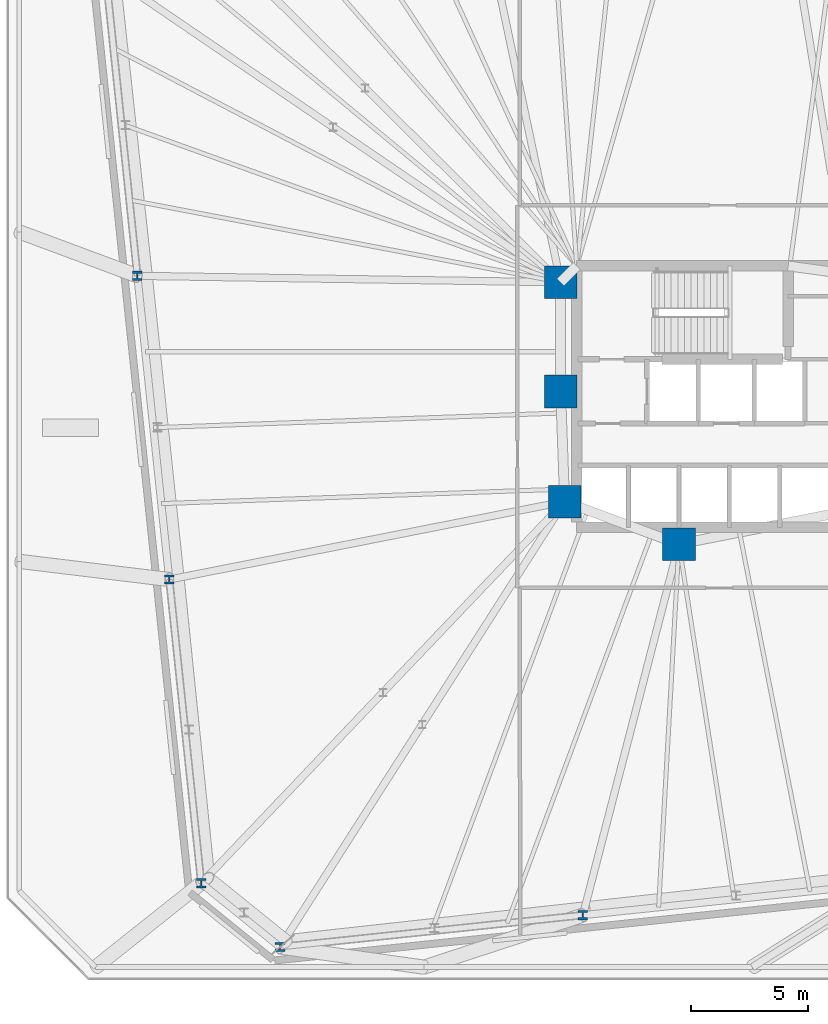
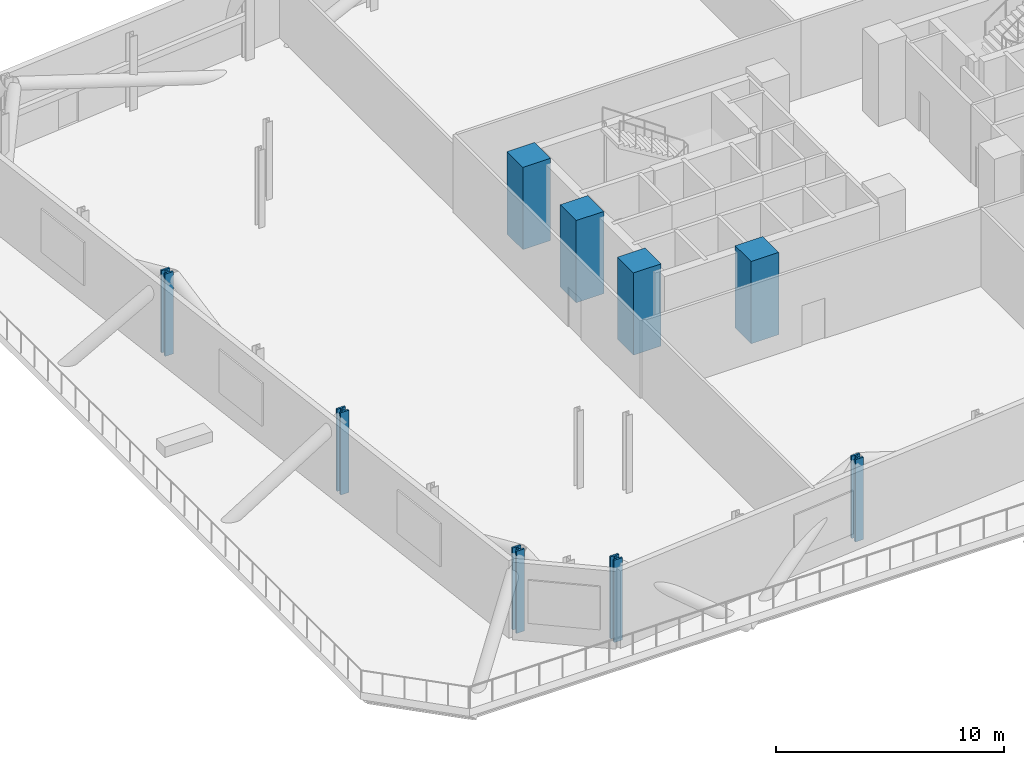
# One storey, part 1 of 17: 9 columns.
"""IFC4 building model written with IfcOpenShell, lengths in metres."""

from ifc_helpers import new_model, si_unit, direction, frame, origin, origin_2d, place, context, subcontext, project, spatial, rectangle, i_section, extrude, material, material_profile, profile_set, type_object, element, save


model = new_model("IFC4")

# Units and contexts
model_context = context("Model", 3, precision=1e-05, world=origin(), true_north=direction((0.0, 1.0)))
body_context = subcontext(model_context, "Body", "Model", "MODEL_VIEW")
ifc_project = project(units=[si_unit("LENGTHUNIT", "METRE"), si_unit("AREAUNIT", "SQUARE_METRE"), si_unit("VOLUMEUNIT", "CUBIC_METRE"), si_unit("PLANEANGLEUNIT", "RADIAN"), si_unit("MASSUNIT", "GRAM", prefix="KILO")], contexts=[model_context])

# Site, building, storey
site_placement = place(None, origin())
site = spatial("IfcSite", under=ifc_project, at=site_placement, CompositionType="ELEMENT")
building_placement = place(site_placement, origin())
building = spatial("IfcBuilding", under=site, at=building_placement, Name="Menara Jurai Vektor", CompositionType="ELEMENT")
storey_placement = place(building_placement, frame((0.0, 0.0, 78.800048828125)))
storey = spatial("IfcBuildingStorey", under=building, at=storey_placement, Name="L19", CompositionType="ELEMENT", Elevation=78.800048828125)

# Columns
ifc_material_1 = material(Name="Concrete C60/75", Category="concrete")
ifc_material_profile_1 = material_profile(ifc_material_1, rectangle(XDim=1.39990234375, YDim=1.39990234375, at=origin_2d()), Name="RC 1400x1400")
ifc_profile_set_1 = profile_set([ifc_material_profile_1], Name="Concrete C60/75")
column_type_1 = type_object("IfcColumnType", Name="STR-COL-RC1400", PredefinedType="COLUMN", material=ifc_profile_set_1)
for number, where, z_axis, x_axis, name in (
    (1, (-15.25, 4.89990234375, 0.0), (0.0, 0.0, 1.0), (1.0, 0.0, 0.0), "Core Spine Column CW-NW L19"),
    (2, (-15.25, 0.219970703125, 0.0), (0.0, 0.0, 1.0), (1.0, 0.0, 0.0), "Core Spine Column CW-WM L19"),
    (3, (-15.080078125, -4.5, 0.0), (0.0, 0.0, 1.0), (1.0, 0.0, 0.0), "Core Spine Column CW-SW L19"),
    (4, (-10.179931640625, -6.320068359375, 0.0), (0.0, 0.0, 1.0), (1.0, 0.0, 0.0), "Core Spine Column CW-SM L19"),
):
    element("IfcColumn", number, at=place(storey_placement, frame(where, z_axis=z_axis, x_axis=x_axis)), inside=storey, type_object=column_type_1, Name=name, PredefinedType="COLUMN", context=body_context, shape_type="SweptSolid", body=[
        extrude(rectangle(XDim=1.39990234375, YDim=1.39990234375, at=origin_2d()), origin(), (0.0, 0.0, 1.0), 4.39990234375),
    ])
ifc_material_2 = material(Name="Steel S460", Category="steel")
ifc_material_profile_2 = material_profile(ifc_material_2, i_section(OverallWidth=0.4130859375, OverallDepth=0.39794921875, WebThickness=0.055908203125, FlangeThickness=0.089111328125, FilletRadius=0.014892578125, at=origin_2d()), Name="HD 400x744")
ifc_profile_set_2 = profile_set([ifc_material_profile_2], Name="Steel S460")
column_type_2 = type_object("IfcColumnType", Name="STR-EXO-BLK2", PredefinedType="COLUMN", material=ifc_profile_set_2)
for number, where, z_axis, x_axis, name in (
    (5, (-27.2763671875, -23.586181640625, 0.0), (0.0, 0.0, 1.0), (1.0, 0.0, 0.0), "Exoskeleton Column BLK2-S1 L19"),
    (6, (-14.296630859375, -22.221923828125, 0.0), (0.0, 0.0, 1.0), (1.0, 0.0, 0.0), "Exoskeleton Column BLK2-S2 L19"),
    (7, (-33.388427734375, 5.175048828125, 0.0), (0.0, 0.0, 1.0), (1.0, 0.0, 0.0), "Exoskeleton Column BLK2-W2 L19"),
    (8, (-32.0205078125, -7.83837890625, 0.0), (0.0, 0.0, 1.0), (1.0, 0.0, 0.0), "Exoskeleton Column BLK2-W3 L19"),
    (9, (-30.65283203125, -20.85205078125, 0.0), (0.0, 0.0, 1.0), (1.0, 0.0, 0.0), "Exoskeleton Column BLK2-W4 L19"),
):
    element("IfcColumn", number, at=place(storey_placement, frame(where, z_axis=z_axis, x_axis=x_axis)), inside=storey, type_object=column_type_2, Name=name, PredefinedType="COLUMN", context=body_context, shape_type="SweptSolid", body=[
        extrude(i_section(OverallWidth=0.4130859375, OverallDepth=0.39794921875, WebThickness=0.055908203125, FlangeThickness=0.089111328125, FilletRadius=0.014892578125, at=origin_2d()), origin(), (0.0, 0.0, 1.0), 4.39990234375),
    ])

save(model, "model.ifc")
